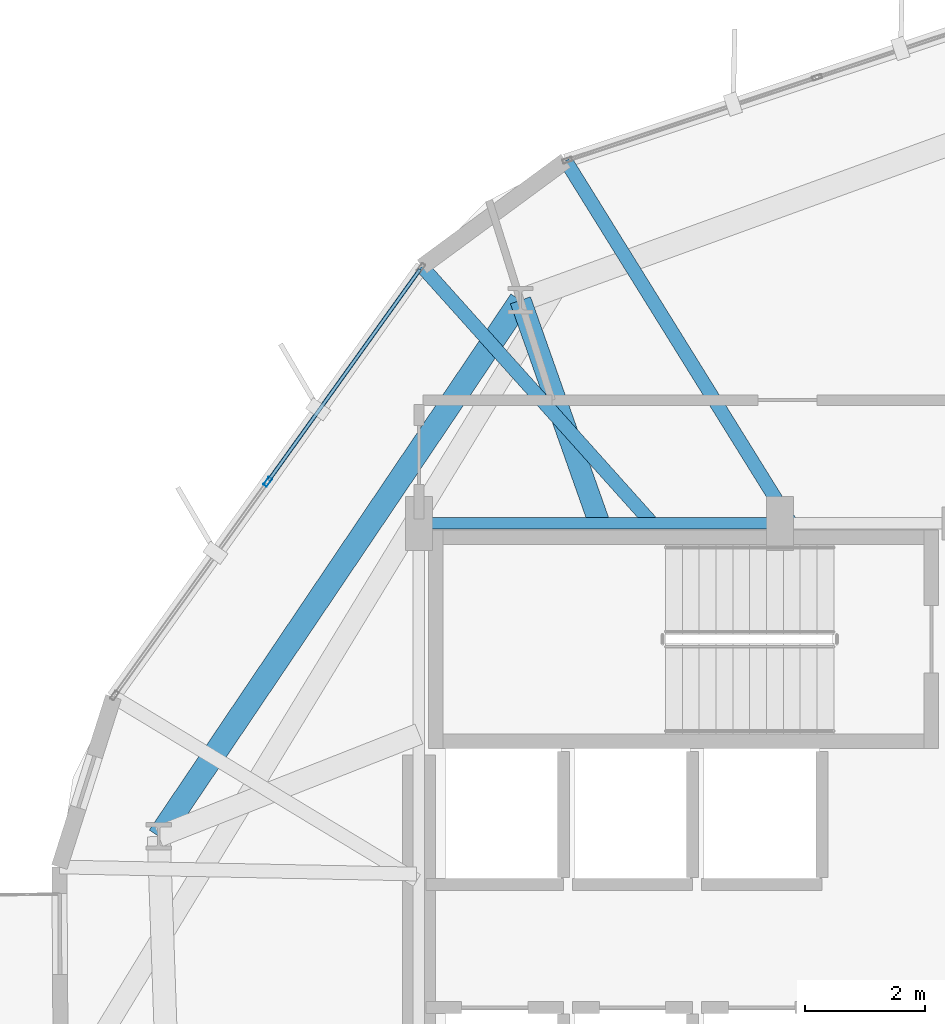
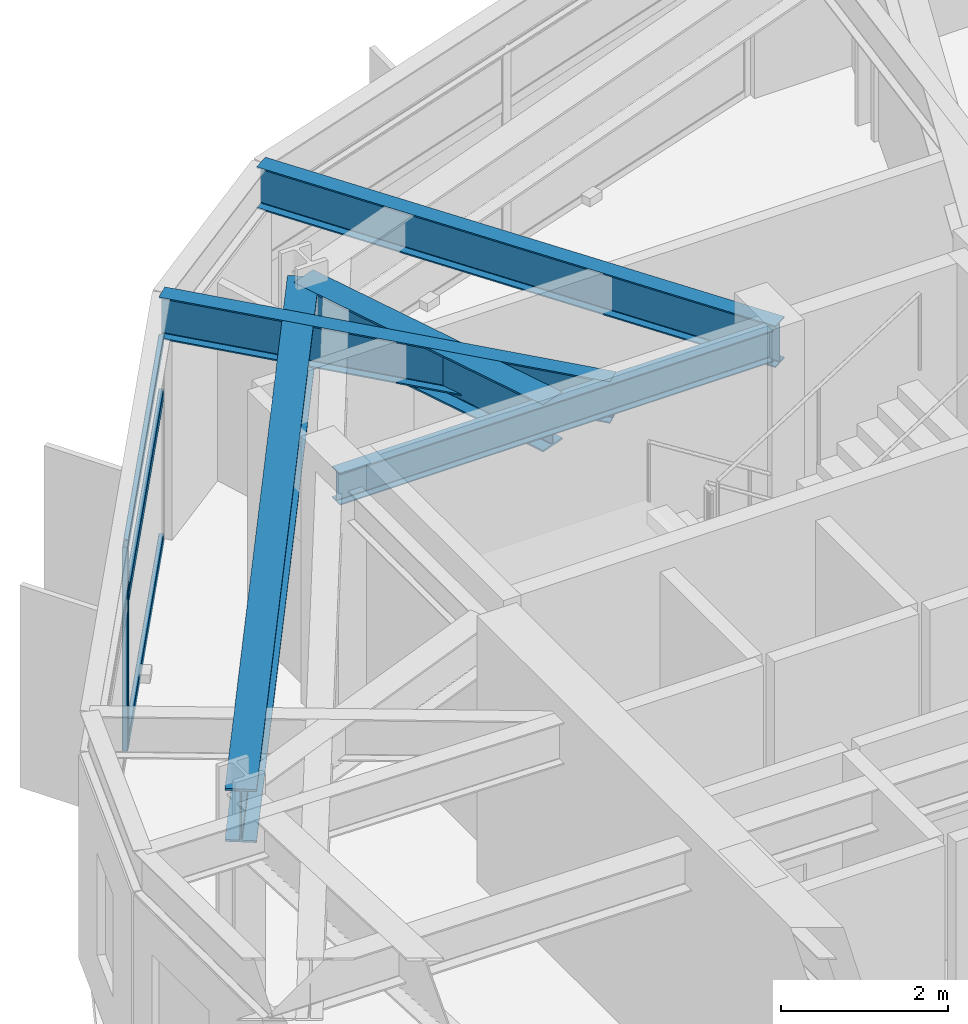
# One storey, part 10 of 27: 5 beams, 4 members, 1 element without a shape of its own.
"""IFC4 building model written with IfcOpenShell, lengths in metres."""

import ifcopenshell
import ifcopenshell.guid

model = None  # the IFC model being written
_history = None  # IfcOwnerHistory: only IFC2X3 demands one
_inside = {}  # id of a spatial element -> (the spatial element, [elements in it])
_under = {}  # id of a project, library or spatial element -> (it, [spatial elements below it])
_declared = {}  # id of a project -> (the project, [libraries it declares])
_typed = {}  # id of a type object -> (the type object, [elements of that type])
_made_of = {}  # id of a material, layer set ... -> (it, [elements and type objects made of it])


def new_model(schema):
    """Start an empty IFC model of exactly this schema.

    Asked for "IFC4X3", IfcOpenShell would pick the latest addendum, in which some entities
    have other attributes; the version numbers below select the first issue.
    IFC2X3 requires an IfcOwnerHistory on every rooted entity: one is made here for all.
    """
    global model, _history
    if schema == "IFC4X3":
        model = ifcopenshell.file(schema_version=(4, 3, 0, 0))
    else:
        model = ifcopenshell.file(schema=schema)
    _inside.clear()
    _under.clear()
    _declared.clear()
    _typed.clear()
    _made_of.clear()
    _history = None
    if model.schema == "IFC2X3":
        org = make("IfcOrganization", Name="unknown")
        user = make(
            "IfcPersonAndOrganization",
            ThePerson=make("IfcPerson", FamilyName="unknown"),
            TheOrganization=org,
        )
        app = make(
            "IfcApplication",
            ApplicationDeveloper=org,
            Version="unknown",
            ApplicationFullName="unknown",
            ApplicationIdentifier="unknown",
        )
        _history = make(
            "IfcOwnerHistory",
            OwningUser=user,
            OwningApplication=app,
            ChangeAction="ADDED",
            CreationDate=0,
        )
    return model


def make(cls, **values):
    """One entity of the class cls with the attributes given. An attribute that is None is left unset."""
    return model.create_entity(
        cls, **{name: value for name, value in values.items() if value is not None}
    )


def rooted(cls, **values):
    """An entity with a GlobalId (a new one), such as an element, a storey or a relation."""
    return make(cls, GlobalId=ifcopenshell.guid.new(), OwnerHistory=_history, **values)


def si_unit(unit_type, name, prefix=None):
    """IfcSIUnit, for example si_unit("LENGTHUNIT", "METRE", prefix="MILLI")."""
    return make("IfcSIUnit", UnitType=unit_type, Prefix=prefix, Name=name)


def assignment(units):
    """IfcUnitAssignment: the units of a project."""
    return None if units is None else make("IfcUnitAssignment", Units=units)


def point(xyz):
    """IfcCartesianPoint."""
    return None if xyz is None else make("IfcCartesianPoint", Coordinates=xyz)


def direction(xyz):
    """IfcDirection."""
    return None if xyz is None else make("IfcDirection", DirectionRatios=xyz)


def frame(location, z_axis=None, x_axis=None):
    """IfcAxis2Placement3D, a coordinate frame: its origin and axes. An axis left out is left unset."""
    return make(
        "IfcAxis2Placement3D",
        Location=point(location),
        Axis=direction(z_axis),
        RefDirection=direction(x_axis),
    )


def frame_2d(location, x_axis=None):
    """IfcAxis2Placement2D, a coordinate frame in the plane: its origin and x axis."""
    return make(
        "IfcAxis2Placement2D", Location=point(location), RefDirection=direction(x_axis)
    )


def origin():
    """The frame at (0, 0, 0) with its axes left unset."""
    return frame((0.0, 0.0, 0.0))


def origin_2d():
    """The frame at (0, 0) in the plane with its x axis left unset."""
    return frame_2d((0.0, 0.0))


def place(relative_to, where):
    """IfcLocalPlacement: puts the frame where relative to a parent placement (None: the world)."""
    return make(
        "IfcLocalPlacement", PlacementRelTo=relative_to, RelativePlacement=where
    )


def context(
    kind, dimensions, precision=None, world=None, true_north=None, identifier=None
):
    """IfcGeometricRepresentationContext, for example the 3D "Model" context."""
    return make(
        "IfcGeometricRepresentationContext",
        ContextIdentifier=identifier,
        ContextType=kind,
        CoordinateSpaceDimension=dimensions,
        Precision=precision,
        WorldCoordinateSystem=world,
        TrueNorth=true_north,
    )


def subcontext(parent, identifier, kind, view, scale=None):
    """IfcGeometricRepresentationSubContext, for example "Body" below "Model"."""
    return make(
        "IfcGeometricRepresentationSubContext",
        ContextIdentifier=identifier,
        ContextType=kind,
        ParentContext=parent,
        TargetScale=scale,
        TargetView=view,
    )


def project(units=None, contexts=None):
    """IfcProject with its units and contexts."""
    return rooted(
        "IfcProject",
        Name="project",
        RepresentationContexts=contexts,
        UnitsInContext=assignment(units),
    )


def spatial(cls, under=None, at=None, **own):
    """A site, building, storey or space (cls), placed at a placement, below another one or the project."""
    s = rooted(cls, ObjectPlacement=at, **own)
    if under is not None:
        _under.setdefault(under.id(), (under, []))[1].append(s)
    return s


def profile(cls, at=None, kind="AREA", **sizes):
    """A parametric profile (cls). Its sizes go by their IFC names, for example OverallWidth=200.0."""
    return make(cls, ProfileType=kind, Position=at, **sizes)


def hollow_rectangle(**sizes):
    """IfcRectangleHollowProfileDef."""
    return profile("IfcRectangleHollowProfileDef", **sizes)


def i_section(**sizes):
    """IfcIShapeProfileDef."""
    return profile("IfcIShapeProfileDef", **sizes)


def extrude(swept, where, along, depth):
    """IfcExtrudedAreaSolid: the profile swept, set in the frame where, extruded along a direction by depth."""
    return make(
        "IfcExtrudedAreaSolid",
        SweptArea=swept,
        Position=where,
        ExtrudedDirection=direction(along),
        Depth=depth,
    )


def shape(context_of_items, identifier, shape_type, items):
    """IfcShapeRepresentation: the items that make up one representation, for example the "Body"."""
    return make(
        "IfcShapeRepresentation",
        ContextOfItems=context_of_items,
        RepresentationIdentifier=identifier,
        RepresentationType=shape_type,
        Items=items,
    )


def material(Name=None, Category=None):
    """IfcMaterial."""
    return make("IfcMaterial", Name=Name, Category=Category)


def layer(
    of_material, thickness, ventilated=None, Name=None, Category=None, Priority=None
):
    """IfcMaterialLayer: one layer of a wall or slab, of a material (None: an air gap)."""
    return make(
        "IfcMaterialLayer",
        Material=of_material,
        LayerThickness=thickness,
        IsVentilated=ventilated,
        Name=Name,
        Category=Category,
        Priority=Priority,
    )


def layer_set(layers, Name=None):
    """IfcMaterialLayerSet."""
    return make("IfcMaterialLayerSet", MaterialLayers=layers, LayerSetName=Name)


def material_profile(
    of_material, cross_section, Name=None, Category=None, Priority=None
):
    """IfcMaterialProfile: a cross section and its material."""
    return make(
        "IfcMaterialProfile",
        Name=Name,
        Material=of_material,
        Profile=cross_section,
        Priority=Priority,
        Category=Category,
    )


def profile_set(profiles, Name=None, composite=None):
    """IfcMaterialProfileSet."""
    return make(
        "IfcMaterialProfileSet",
        Name=Name,
        MaterialProfiles=profiles,
        CompositeProfile=composite,
    )


def made_of(thing, what):
    """Note that an element or type object is made of a material, layer set ...; save() writes the relation."""
    if what is not None:
        _made_of.setdefault(what.id(), (what, []))[1].append(thing)
    return thing


def type_object(cls, material=None, **own):
    """A type object (cls), such as IfcWallType, which elements share."""
    return made_of(rooted(cls, **own), material)


def element(
    cls,
    number,
    at=None,
    inside=None,
    cuts=None,
    type_object=None,
    material=None,
    context=None,
    identifier="Body",
    shape_type=None,
    held_by="IfcProductDefinitionShape",
    body=None,
    shapes=None,
    **own,
):
    """One element of the class cls, such as IfcWall. Its Tag is "e" and its number.

    at: its placement. inside: the storey or other place that contains it. cuts: it is an
    opening in that element (IfcRelVoidsElement). A single representation is given by context,
    identifier, shape_type and body (its items); several are given by shapes. held_by: the class
    of the entity that holds the representations. save() writes the other relations.
    """
    e = rooted(cls, Tag="e%d" % number, ObjectPlacement=at, **own)
    if body is not None:
        shapes = [shape(context, identifier, shape_type, body)]
    if shapes is not None:
        e.Representation = make(held_by, Representations=shapes)
    if inside is not None:
        _inside.setdefault(inside.id(), (inside, []))[1].append(e)
    if cuts is not None:
        rooted(
            "IfcRelVoidsElement", RelatingBuildingElement=cuts, RelatedOpeningElement=e
        )
    if type_object is not None:
        _typed.setdefault(type_object.id(), (type_object, []))[1].append(e)
    return made_of(e, material)


def aggregate(whole, parts):
    """IfcRelAggregates: a whole, such as a stair, and the parts it consists of."""
    return rooted("IfcRelAggregates", RelatingObject=whole, RelatedObjects=parts)


def save(model, path):
    """Write the relations noted so far, then the file.

    IfcRelAggregates (storeys below a building ...), IfcRelContainedInSpatialStructure (elements
    in a storey), IfcRelDefinesByType, IfcRelAssociatesMaterial and IfcRelDeclares: one each for
    every whole, place, type object, material and project.
    """
    for whole, parts in _under.values():
        aggregate(whole, parts)
    for where, things in _inside.values():
        rooted(
            "IfcRelContainedInSpatialStructure",
            RelatedElements=things,
            RelatingStructure=where,
        )
    for kind, things in _typed.values():
        rooted("IfcRelDefinesByType", RelatedObjects=things, RelatingType=kind)
    for what, things in _made_of.values():
        rooted("IfcRelAssociatesMaterial", RelatedObjects=things, RelatingMaterial=what)
    for by, libraries in _declared.values():
        rooted("IfcRelDeclares", RelatingContext=by, RelatedDefinitions=libraries)
    model.write(path)


model = new_model("IFC4")

# Units and contexts
model_context = context("Model", 3, precision=1e-05, world=origin(), true_north=direction((0.0, 1.0)))
body_context = subcontext(model_context, "Body", "Model", "MODEL_VIEW")
ifc_project = project(units=[si_unit("LENGTHUNIT", "METRE"), si_unit("AREAUNIT", "SQUARE_METRE"), si_unit("VOLUMEUNIT", "CUBIC_METRE"), si_unit("PLANEANGLEUNIT", "RADIAN"), si_unit("MASSUNIT", "GRAM", prefix="KILO")], contexts=[model_context])

# Site, building, storey
site_placement = place(None, origin())
site = spatial("IfcSite", under=ifc_project, at=site_placement, CompositionType="ELEMENT")
building_placement = place(site_placement, origin())
building = spatial("IfcBuilding", under=site, at=building_placement, Name="Soratama Intermodal Tower", CompositionType="ELEMENT")
storey_placement = place(building_placement, frame((0.0, 0.0, 99.10009765625)))
storey = spatial("IfcBuildingStorey", under=building, at=storey_placement, Name="L23", CompositionType="ELEMENT", Elevation=99.10009765625)

# Beams
ifc_material_1 = material(Name="Structural steel ASTM A992 Grade 50", Category="steel")
ifc_material_profile_1 = material_profile(ifc_material_1, i_section(OverallWidth=0.19091796875, OverallDepth=0.4599609375, WebThickness=0.010009765625, FlangeThickness=0.01611328125, FilletRadius=0.010986328125, at=origin_2d()), Name="W18X55")
ifc_profile_set_1 = profile_set([ifc_material_profile_1], Name="Structural steel ASTM A992 Grade 50")
beam_type_1 = type_object("IfcBeamType", Name="BM-FLR-W18X55", PredefinedType="BEAM", material=ifc_profile_set_1)
beam_1_placement = place(storey_placement, frame((38.60009765625, 35.0, 3.369873046875), z_axis=(-1.0, 0.0, 0.0), x_axis=(0.0, -1.0, 0.0)))
element("IfcBeam", 1, at=beam_1_placement, inside=storey, type_object=beam_type_1, Name="BM-L23-CRING-07", PredefinedType="BEAM", context=body_context, shape_type="SweptSolid", body=[
    extrude(i_section(OverallWidth=0.19091796875, OverallDepth=0.4599609375, WebThickness=0.010009765625, FlangeThickness=0.01611328125, FilletRadius=0.010986328125, at=origin_2d()), origin(), (0.0, 0.0, 1.0), 6.0),
])
ifc_material_2 = material(Name="Structural steel ASTM A992 Grade 50", Category="steel")
ifc_material_profile_2 = material_profile(ifc_material_2, i_section(OverallWidth=0.35498046875, OverallDepth=0.695068359375, WebThickness=0.015380859375, FlangeThickness=0.02490234375, FilletRadius=0.01611328125, at=origin_2d()), Name="W27X146")
ifc_profile_set_2 = profile_set([ifc_material_profile_2], Name="Structural steel ASTM A992 Grade 50")
beam_type_2 = type_object("IfcBeamType", Name="BM-RING-W27X146", PredefinedType="BEAM", material=ifc_profile_set_2)
beam_2_placement = place(storey_placement, frame((35.60009765625, 35.0, 3.25244140625), z_axis=(-0.333332697239, 0.942809266475, 0.0), x_axis=(-0.942809266475, -0.333332697239, 0.0)))
element("IfcBeam", 2, at=beam_2_placement, inside=storey, type_object=beam_type_2, Name="BM-L23-RAD-04", PredefinedType="BEAM", context=body_context, shape_type="SweptSolid", body=[
    extrude(i_section(OverallWidth=0.35498046875, OverallDepth=0.695068359375, WebThickness=0.015380859375, FlangeThickness=0.02490234375, FilletRadius=0.01611328125, at=origin_2d()), origin(), (0.0, 0.0, 1.0), 3.93603515625),
])
ifc_material_3 = material(Name="Structural steel ASTM A992 Grade 50", Category="steel")
ifc_material_profile_3 = material_profile(ifc_material_3, i_section(OverallWidth=0.382080078125, OverallDepth=0.779052734375, WebThickness=0.01806640625, FlangeThickness=0.030029296875, FilletRadius=0.01806640625, at=origin_2d()), Name="W30X191")
ifc_profile_set_3 = profile_set([ifc_material_profile_3], Name="Structural steel ASTM A992 Grade 50")
beam_type_3 = type_object("IfcBeamType", Name="BM-RING-W30X191", PredefinedType="BEAM", material=ifc_profile_set_3)
beam_3_placement = place(storey_placement, frame((34.2880859375, 38.7109375, 3.21044921875), z_axis=(-0.559249807749, -0.828999187293, 0.0), x_axis=(0.828999187293, -0.559249807749, 0.0)))
element("IfcBeam", 3, at=beam_3_placement, inside=storey, type_object=beam_type_3, Name="BM-L23-RING-04", PredefinedType="BEAM", context=body_context, shape_type="SweptSolid", body=[
    extrude(i_section(OverallWidth=0.382080078125, OverallDepth=0.779052734375, WebThickness=0.01806640625, FlangeThickness=0.030029296875, FilletRadius=0.01806640625, at=origin_2d()), origin(), (0.0, 0.0, 1.0), 10.75390625),
])
ifc_material_4 = material(Name="Structural steel ASTM A992 Grade 50", Category="steel")
ifc_material_profile_4 = material_profile(ifc_material_4, i_section(OverallWidth=0.22900390625, OverallDepth=0.612060546875, WebThickness=0.011962890625, FlangeThickness=0.01953125, FilletRadius=0.012939453125, at=origin_2d()), Name="W24X84")
ifc_profile_set_4 = profile_set([ifc_material_profile_4], Name="Structural steel ASTM A992 Grade 50")
beam_type_4 = type_object("IfcBeamType", Name="BM-TIE-W24X84", PredefinedType="BEAM", material=ifc_profile_set_4)
beam_4_placement = place(storey_placement, frame((38.76611328125, 35.033935546875, 3.2939453125), z_axis=(-0.527746710513, 0.849401795114, 0.0), x_axis=(-0.849401795114, -0.527746710513, 0.0)))
element("IfcBeam", 4, at=beam_4_placement, inside=storey, type_object=beam_type_4, Name="BM-L23-TIE1-03", PredefinedType="BEAM", context=body_context, shape_type="SweptSolid", body=[
    extrude(i_section(OverallWidth=0.22900390625, OverallDepth=0.612060546875, WebThickness=0.011962890625, FlangeThickness=0.01953125, FilletRadius=0.012939453125, at=origin_2d()), origin(), (0.0, 0.0, 1.0), 7.060302734375),
])
beam_5_placement = place(storey_placement, frame((36.452880859375, 35.030029296875, 3.2939453125), z_axis=(-0.667436039989, 0.744667128672, 0.0), x_axis=(-0.744667128672, -0.667436039989, 0.0)))
element("IfcBeam", 5, at=beam_5_placement, inside=storey, type_object=beam_type_4, Name="BM-L23-TIE0-04", PredefinedType="BEAM", context=body_context, shape_type="SweptSolid", body=[
    extrude(i_section(OverallWidth=0.22900390625, OverallDepth=0.612060546875, WebThickness=0.011962890625, FlangeThickness=0.01953125, FilletRadius=0.012939453125, at=origin_2d()), origin(), (0.0, 0.0, 1.0), 5.696533203125),
])

# Curtain wall, members
ifc_material_5 = material(Name="Double-glazed aluminium curtain wall", Category="aluminium")
ifc_layer = layer(ifc_material_5, 0.159912109375)
ifc_layer_set = layer_set([ifc_layer], Name="Double-glazed aluminium curtain wall")
curtain_wall_type = type_object("IfcCurtainWallType", Name="CW-SYS-3", PredefinedType="NOTDEFINED", material=ifc_layer_set)
curtain_wall_placement = place(storey_placement, origin())
curtain_wall = element("IfcCurtainWall", 6, at=curtain_wall_placement, inside=storey, type_object=curtain_wall_type, Name="L23 Faceted Curtain Wall F04", PredefinedType="NOTDEFINED")
ifc_material_6 = material(Name="Anodised aluminium AA 6063-T6", Category="aluminium")
ifc_material_profile_5 = material_profile(ifc_material_6, hollow_rectangle(XDim=0.070068359375, YDim=0.159912109375, WallThickness=0.0048828125, InnerFilletRadius=0.0048828125, OuterFilletRadius=0.010009765625, at=origin_2d()), Name="CWM160X70X5")
ifc_profile_set_5 = profile_set([ifc_material_profile_5], Name="Anodised aluminium AA 6063-T6")
member_type_1 = type_object("IfcMemberType", Name="MT-CWM-3", PredefinedType="MULLION", material=ifc_profile_set_5)
member_1_placement = place(storey_placement, frame((30.08544921875, 35.693359375, 0.0), z_axis=(0.0, 0.0, 1.0), x_axis=(0.812696409232, -0.582687348774, 0.0)))
member_1 = element("IfcMember", 7, at=member_1_placement, type_object=member_type_1, Name="CW-3 mullion 2", PredefinedType="MULLION", context=body_context, shape_type="SweptSolid", body=[
    extrude(hollow_rectangle(XDim=0.070068359375, YDim=0.159912109375, WallThickness=0.0048828125, InnerFilletRadius=0.0048828125, OuterFilletRadius=0.010009765625, at=origin_2d()), origin(), (0.0, 0.0, 1.0), 2.97900390625),
])
ifc_material_7 = material(Name="Anodised aluminium AA 6063-T6", Category="aluminium")
ifc_material_profile_6 = material_profile(ifc_material_7, hollow_rectangle(XDim=0.06494140625, YDim=0.14990234375, WallThickness=0.0048828125, InnerFilletRadius=0.0048828125, OuterFilletRadius=0.010009765625, at=origin_2d()), Name="CWT150X65X5")
ifc_profile_set_6 = profile_set([ifc_material_profile_6], Name="Anodised aluminium AA 6063-T6")
member_type_2 = type_object("IfcMemberType", Name="TT-CWT-1", PredefinedType="USERDEFINED", material=ifc_profile_set_6)
member_2_placement = place(storey_placement, frame((32.616455078125, 39.22314453125, 0.02978515625), z_axis=(-0.582709639018, -0.812680427103, 0.0), x_axis=(0.812680427103, -0.582709639018, 0.0)))
member_2 = element("IfcMember", 8, at=member_2_placement, type_object=member_type_2, Name="CW-3 transom 1.1", ObjectType="TRANSOM", PredefinedType="USERDEFINED", context=body_context, shape_type="SweptSolid", body=[
    extrude(hollow_rectangle(XDim=0.06494140625, YDim=0.14990234375, WallThickness=0.0048828125, InnerFilletRadius=0.0048828125, OuterFilletRadius=0.010009765625, at=origin_2d()), origin(), (0.0, 0.0, 1.0), 4.313232421875),
])
member_3_placement = place(storey_placement, frame((32.616455078125, 39.22314453125, 2.14990234375), z_axis=(-0.582709639018, -0.812680427103, 0.0), x_axis=(0.812680427103, -0.582709639018, 0.0)))
member_3 = element("IfcMember", 9, at=member_3_placement, type_object=member_type_2, Name="CW-3 transom 1.2", ObjectType="TRANSOM", PredefinedType="USERDEFINED", context=body_context, shape_type="SweptSolid", body=[
    extrude(hollow_rectangle(XDim=0.06494140625, YDim=0.14990234375, WallThickness=0.0048828125, InnerFilletRadius=0.0048828125, OuterFilletRadius=0.010009765625, at=origin_2d()), origin(), (0.0, 0.0, 1.0), 4.313232421875),
])
member_4_placement = place(storey_placement, frame((32.616455078125, 39.22314453125, 2.948974609375), z_axis=(-0.582709639018, -0.812680427103, 0.0), x_axis=(0.812680427103, -0.582709639018, 0.0)))
member_4 = element("IfcMember", 10, at=member_4_placement, type_object=member_type_2, Name="CW-3 transom 1.3", ObjectType="TRANSOM", PredefinedType="USERDEFINED", context=body_context, shape_type="SweptSolid", body=[
    extrude(hollow_rectangle(XDim=0.06494140625, YDim=0.14990234375, WallThickness=0.0048828125, InnerFilletRadius=0.0048828125, OuterFilletRadius=0.010009765625, at=origin_2d()), origin(), (0.0, 0.0, 1.0), 4.313232421875),
])
aggregate(curtain_wall, [member_1, member_2, member_3, member_4])

save(model, "model.ifc")
